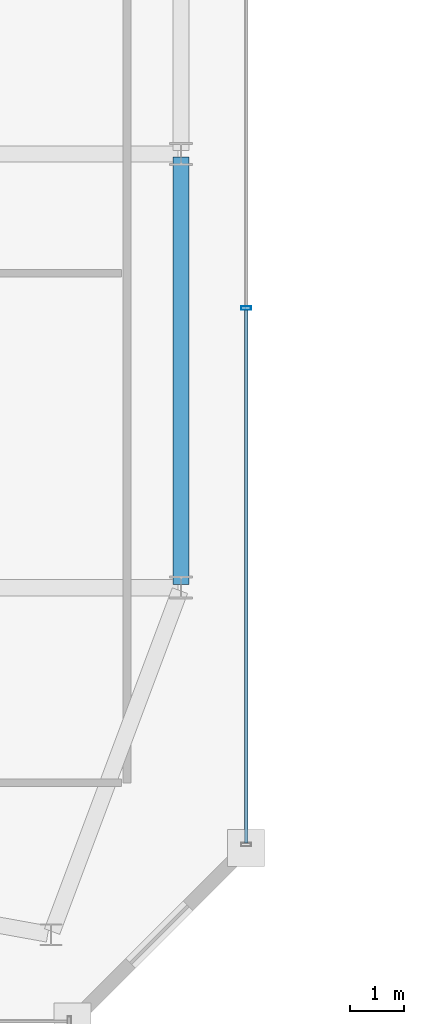
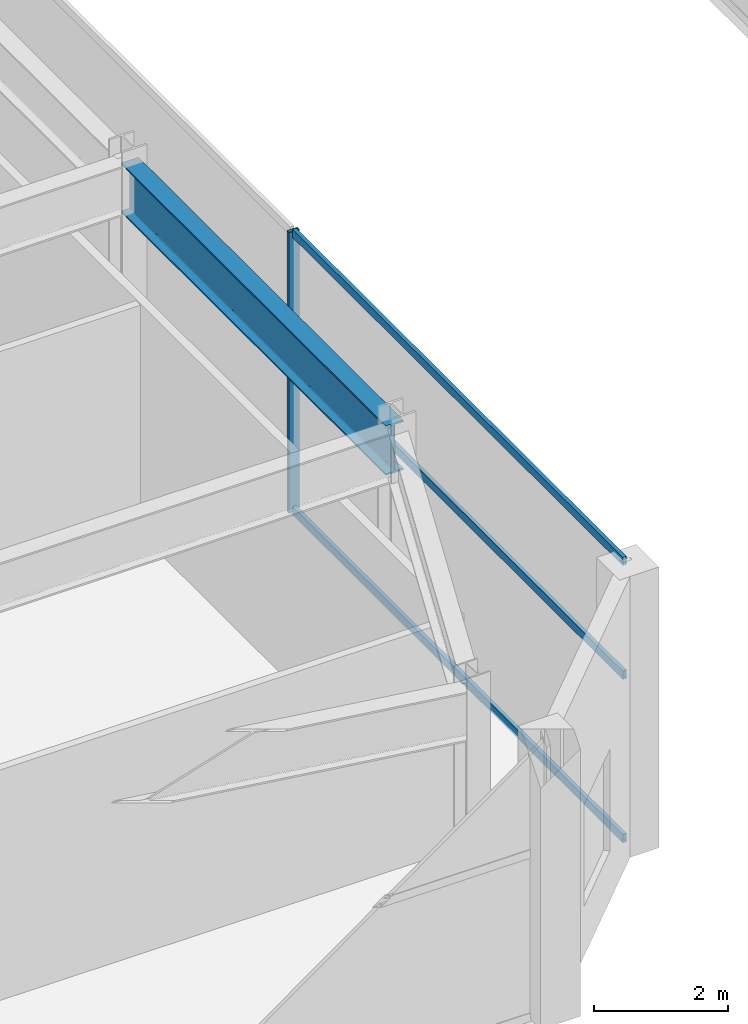
# One storey, part 18 of 52: 4 members, 1 beam, 1 element without a shape of its own.
"""IFC4 building model written with IfcOpenShell, lengths in metres."""

from ifc_helpers import new_model, si_unit, direction, frame, origin, origin_2d, place, context, subcontext, project, spatial, hollow_rectangle, i_section, extrude, material, material_profile, profile_set, type_object, element, aggregate, save


model = new_model("IFC4")

# Units and contexts
model_context = context("Model", 3, precision=1e-05, world=origin(), true_north=direction((0.0, 1.0)))
body_context = subcontext(model_context, "Body", "Model", "MODEL_VIEW")
ifc_project = project(units=[si_unit("LENGTHUNIT", "METRE"), si_unit("AREAUNIT", "SQUARE_METRE"), si_unit("VOLUMEUNIT", "CUBIC_METRE"), si_unit("PLANEANGLEUNIT", "RADIAN"), si_unit("MASSUNIT", "GRAM", prefix="KILO")], contexts=[model_context])

# Site, building, storey
site_placement = place(None, origin())
site = spatial("IfcSite", under=ifc_project, at=site_placement, CompositionType="ELEMENT")
building_placement = place(site_placement, origin())
building = spatial("IfcBuilding", under=site, at=building_placement, Name="Saevonmaru Cultural Tower", CompositionType="ELEMENT")
storey_placement = place(building_placement, frame((0.0, 0.0, 16.800048828125)))
storey = spatial("IfcBuildingStorey", under=building, at=storey_placement, Name="L03", CompositionType="ELEMENT", Elevation=16.800048828125)

# Beam
ifc_material_1 = material(Name="Steel SM420", Category="steel")
ifc_material_profile_1 = material_profile(ifc_material_1, i_section(OverallWidth=0.300048828125, OverallDepth=0.89990234375, WebThickness=0.01611328125, FlangeThickness=0.028076171875, FilletRadius=0.028076171875, at=origin_2d()), Name="H-900x300x16x28")
ifc_profile_set_1 = profile_set([ifc_material_profile_1], Name="Steel SM420")
beam_type = type_object("IfcBeamType", Name="BM-G-H900", PredefinedType="BEAM", material=ifc_profile_set_1)
beam_placement = place(storey_placement, frame((58.800048828125, 8.06005859375, 4.64990234375), z_axis=(0.0, 1.0, 0.0), x_axis=(-1.0, 0.0, 0.0)))
element("IfcBeam", 1, at=beam_placement, inside=storey, type_object=beam_type, Name="BM-POD-PE-1-L03", PredefinedType="BEAM", context=body_context, shape_type="SweptSolid", body=[
    extrude(i_section(OverallWidth=0.300048828125, OverallDepth=0.89990234375, WebThickness=0.01611328125, FlangeThickness=0.028076171875, FilletRadius=0.028076171875, at=origin_2d()), origin(), (0.0, 0.0, 1.0), 7.8798828125),
])

# Curtain wall, members
ifc_material_2 = material(Name="Satin Bronze Anodised Aluminium", Category="aluminium")
curtain_wall_type = type_object("IfcCurtainWallType", Name="CW-POD-GLZ", PredefinedType="NOTDEFINED", material=ifc_material_2)
curtain_wall_placement = place(storey_placement, origin())
curtain_wall = element("IfcCurtainWall", 2, at=curtain_wall_placement, inside=storey, type_object=curtain_wall_type, Name="L03 Saevon Plaza Curtain Wall", PredefinedType="NOTDEFINED")
ifc_material_profile_2 = material_profile(ifc_material_2, hollow_rectangle(XDim=0.06494140625, YDim=0.179931640625, WallThickness=0.00390625, at=origin_2d()), Name="ALU-MULL-180x65x4")
ifc_profile_set_2 = profile_set([ifc_material_profile_2], Name="Satin Bronze Anodised Aluminium")
member_type_1 = type_object("IfcMemberType", Name="ML-CW-180x65", PredefinedType="MULLION", material=ifc_profile_set_2)
member_1_placement = place(storey_placement, frame((60.0, 13.156005859375, 0.0), z_axis=(0.0, 0.0, 1.0), x_axis=(0.0, 1.0, 0.0)))
member_1 = element("IfcMember", 3, at=member_1_placement, type_object=member_type_1, Name="CW-POD-E-L03 mullion 2", PredefinedType="MULLION", context=body_context, shape_type="SweptSolid", body=[
    extrude(hollow_rectangle(XDim=0.06494140625, YDim=0.179931640625, WallThickness=0.00390625, at=origin_2d()), origin(), (0.0, 0.0, 1.0), 5.099853515625),
])
ifc_material_profile_3 = material_profile(ifc_material_2, hollow_rectangle(XDim=0.06494140625, YDim=0.14990234375, WallThickness=0.00390625, at=origin_2d()), Name="ALU-TRAN-150x65x4")
ifc_profile_set_3 = profile_set([ifc_material_profile_3], Name="Satin Bronze Anodised Aluminium")
member_type_2 = type_object("IfcMemberType", Name="TR-CW-150x65", PredefinedType="USERDEFINED", material=ifc_profile_set_3)
member_2_placement = place(storey_placement, frame((60.0, 3.29248046875, 0.032470703125), z_axis=(0.0, 1.0, 0.0), x_axis=(-1.0, 0.0, 0.0)))
member_2 = element("IfcMember", 4, at=member_2_placement, type_object=member_type_2, Name="CW-POD-E-L03 transom 1.1", ObjectType="TRANSOM", PredefinedType="USERDEFINED", context=body_context, shape_type="SweptSolid", body=[
    extrude(hollow_rectangle(XDim=0.06494140625, YDim=0.14990234375, WallThickness=0.00390625, at=origin_2d()), origin(), (0.0, 0.0, 1.0), 9.8310546875),
])
member_3_placement = place(storey_placement, frame((60.0, 3.29248046875, 3.0), z_axis=(0.0, 1.0, 0.0), x_axis=(-1.0, 0.0, 0.0)))
member_3 = element("IfcMember", 5, at=member_3_placement, type_object=member_type_2, Name="CW-POD-E-L03 transom 1.2", ObjectType="TRANSOM", PredefinedType="USERDEFINED", context=body_context, shape_type="SweptSolid", body=[
    extrude(hollow_rectangle(XDim=0.06494140625, YDim=0.14990234375, WallThickness=0.00390625, at=origin_2d()), origin(), (0.0, 0.0, 1.0), 9.8310546875),
])
member_4_placement = place(storey_placement, frame((60.0, 3.29248046875, 5.0673828125), z_axis=(0.0, 1.0, 0.0), x_axis=(-1.0, 0.0, 0.0)))
member_4 = element("IfcMember", 6, at=member_4_placement, type_object=member_type_2, Name="CW-POD-E-L03 transom 1.3", ObjectType="TRANSOM", PredefinedType="USERDEFINED", context=body_context, shape_type="SweptSolid", body=[
    extrude(hollow_rectangle(XDim=0.06494140625, YDim=0.14990234375, WallThickness=0.00390625, at=origin_2d()), origin(), (0.0, 0.0, 1.0), 9.8310546875),
])
aggregate(curtain_wall, [member_1, member_2, member_3, member_4])

save(model, "model.ifc")
